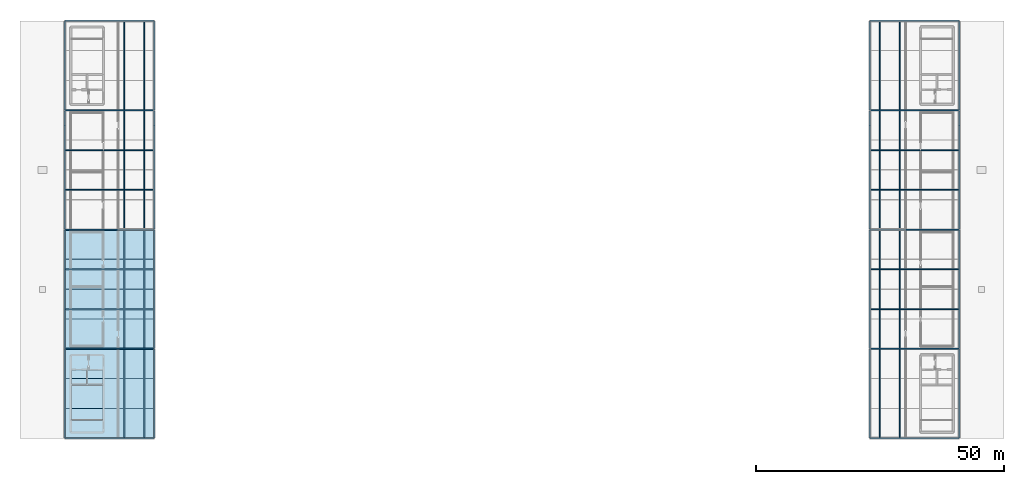
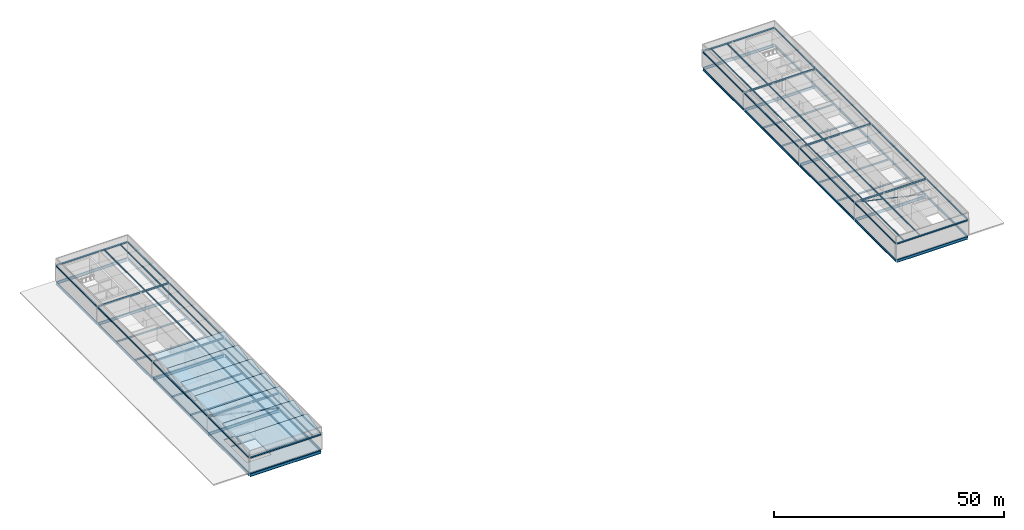
# One storey, part 7 of 13: 76 beams, 8 slabs, 2 members, 1 element without a shape of its own.
"""IFC4 building model written with IfcOpenShell, lengths in metres."""

from ifc_helpers import new_model, si_unit, direction, frame, origin, origin_2d, place, context, subcontext, project, spatial, polyline, hollow_circle, i_section, outline, extrude, material, layer, layer_set, material_profile, profile_set, type_object, element, aggregate, save


model = new_model("IFC4")

# Units and contexts
model_context = context("Model", 3, precision=1e-05, world=origin(), true_north=direction((0.0, 1.0)))
body_context = subcontext(model_context, "Body", "Model", "MODEL_VIEW")
ifc_project = project(units=[si_unit("LENGTHUNIT", "METRE"), si_unit("AREAUNIT", "SQUARE_METRE"), si_unit("VOLUMEUNIT", "CUBIC_METRE"), si_unit("PLANEANGLEUNIT", "RADIAN"), si_unit("MASSUNIT", "GRAM", prefix="KILO")], contexts=[model_context])

# Site, building, storey
site_placement = place(None, origin())
site = spatial("IfcSite", under=ifc_project, at=site_placement, CompositionType="ELEMENT")
building_placement = place(site_placement, origin())
building = spatial("IfcBuilding", under=site, at=building_placement, Name="Kisiwana Market Hall", CompositionType="ELEMENT")
storey_placement = place(building_placement, frame((0.0, 0.0, 69.89990234375)))
storey = spatial("IfcBuildingStorey", under=building, at=storey_placement, Name="L16", CompositionType="ELEMENT", Elevation=69.89990234375)

# Beams
ifc_material_1 = material(Name="Steel S355", Category="steel")
ifc_material_profile_1 = material_profile(ifc_material_1, i_section(OverallWidth=0.19140625, OverallDepth=0.4599609375, WebThickness=0.010009765625, FlangeThickness=0.01611328125, at=origin_2d()), Name="UB 457x191x82")
ifc_profile_set_1 = profile_set([ifc_material_profile_1], Name="Steel S355")
beam_type_1 = type_object("IfcBeamType", Name="BM-GIRD-UB457H", PredefinedType="BEAM", material=ifc_profile_set_1)
for number, where, z_axis, x_axis, name in (
    (1, (9.098876953125, 18.0, 3.9951171875), (1.0, 0.0, 0.0), (0.0, 1.0, 0.0), "Roof girder B-2956"),
    (2, (9.098876953125, 36.0, 3.9951171875), (1.0, 0.0, 0.0), (0.0, 1.0, 0.0), "Roof girder B-2957"),
    (3, (9.098876953125, 84.0, 3.9951171875), (1.0, 0.0, 0.0), (0.0, 1.0, 0.0), "Roof girder B-2958"),
    (4, (9.098876953125, 102.0, 3.9951171875), (1.0, 0.0, 0.0), (0.0, 1.0, 0.0), "Roof girder B-2959"),
):
    element("IfcBeam", number, at=place(storey_placement, frame(where, z_axis=z_axis, x_axis=x_axis)), inside=storey, type_object=beam_type_1, Name=name, PredefinedType="BEAM", context=body_context, shape_type="SweptSolid", body=[
        extrude(i_section(OverallWidth=0.19140625, OverallDepth=0.4599609375, WebThickness=0.010009765625, FlangeThickness=0.01611328125, at=origin_2d()), origin(), (0.0, 0.0, 1.0), 17.80224609375),
    ])
for number, where, z_axis, x_axis, name in (
    (5, (9.0, 18.100830078125, 3.9951171875), (0.0, 1.0, 0.0), (-1.0, 0.0, 0.0), "Roof girder B-2960"),
    (6, (9.0, 84.100830078125, 3.9951171875), (0.0, 1.0, 0.0), (-1.0, 0.0, 0.0), "Roof girder B-2961"),
    (7, (27.0, 18.100830078125, 3.9951171875), (0.0, 1.0, 0.0), (-1.0, 0.0, 0.0), "Roof girder B-2962"),
):
    element("IfcBeam", number, at=place(storey_placement, frame(where, z_axis=z_axis, x_axis=x_axis)), inside=storey, type_object=beam_type_1, Name=name, PredefinedType="BEAM", context=body_context, shape_type="SweptSolid", body=[
        extrude(i_section(OverallWidth=0.19140625, OverallDepth=0.4599609375, WebThickness=0.010009765625, FlangeThickness=0.01611328125, at=origin_2d()), origin(), (0.0, 0.0, 1.0), 17.79833984375),
    ])
for number, where, z_axis, x_axis, name in (
    (8, (27.0, 36.100830078125, 3.9951171875), (0.0, 1.0, 0.0), (-1.0, 0.0, 0.0), "Roof girder B-2963"),
    (9, (27.0, 60.100830078125, 3.9951171875), (0.0, 1.0, 0.0), (-1.0, 0.0, 0.0), "Roof girder B-2964"),
):
    element("IfcBeam", number, at=place(storey_placement, frame(where, z_axis=z_axis, x_axis=x_axis)), inside=storey, type_object=beam_type_1, Name=name, PredefinedType="BEAM", context=body_context, shape_type="SweptSolid", body=[
        extrude(i_section(OverallWidth=0.19140625, OverallDepth=0.4599609375, WebThickness=0.010009765625, FlangeThickness=0.01611328125, at=origin_2d()), origin(), (0.0, 0.0, 1.0), 23.79833984375),
    ])
beam_1_placement = place(storey_placement, frame((27.0, 84.100830078125, 3.9951171875), z_axis=(0.0, 1.0, 0.0), x_axis=(-1.0, 0.0, 0.0)))
element("IfcBeam", 10, at=beam_1_placement, inside=storey, type_object=beam_type_1, Name="Roof girder B-2965", PredefinedType="BEAM", context=body_context, shape_type="SweptSolid", body=[
    extrude(i_section(OverallWidth=0.19140625, OverallDepth=0.4599609375, WebThickness=0.010009765625, FlangeThickness=0.01611328125, at=origin_2d()), origin(), (0.0, 0.0, 1.0), 17.79833984375),
])
beam_2_placement = place(storey_placement, frame((9.098876953125, 60.0, 3.9951171875), z_axis=(1.0, 0.0, 0.0), x_axis=(0.0, 1.0, 0.0)))
element("IfcBeam", 11, at=beam_2_placement, inside=storey, type_object=beam_type_1, Name="Roof girder B-2914", PredefinedType="BEAM", context=body_context, shape_type="SweptSolid", body=[
    extrude(i_section(OverallWidth=0.19140625, OverallDepth=0.4599609375, WebThickness=0.010009765625, FlangeThickness=0.01611328125, at=origin_2d()), origin(), (0.0, 0.0, 1.0), 17.80224609375),
])
for number, where, z_axis, x_axis, name in (
    (12, (9.0, 36.100830078125, 3.9951171875), (0.0, 1.0, 0.0), (-1.0, 0.0, 0.0), "Roof girder B-2915"),
    (13, (9.0, 60.100830078125, 3.9951171875), (0.0, 1.0, 0.0), (-1.0, 0.0, 0.0), "Roof girder B-2916"),
):
    element("IfcBeam", number, at=place(storey_placement, frame(where, z_axis=z_axis, x_axis=x_axis)), inside=storey, type_object=beam_type_1, Name=name, PredefinedType="BEAM", context=body_context, shape_type="SweptSolid", body=[
        extrude(i_section(OverallWidth=0.19140625, OverallDepth=0.4599609375, WebThickness=0.010009765625, FlangeThickness=0.01611328125, at=origin_2d()), origin(), (0.0, 0.0, 1.0), 23.79833984375),
    ])
for number, where, z_axis, x_axis, name in (
    (14, (171.098876953125, 18.0, 3.9951171875), (1.0, 0.0, 0.0), (0.0, 1.0, 0.0), "Roof girder B-2966"),
    (15, (171.098876953125, 36.0, 3.9951171875), (1.0, 0.0, 0.0), (0.0, 1.0, 0.0), "Roof girder B-2967"),
    (16, (171.098876953125, 84.0, 3.9951171875), (1.0, 0.0, 0.0), (0.0, 1.0, 0.0), "Roof girder B-2968"),
    (17, (171.098876953125, 102.0, 3.9951171875), (1.0, 0.0, 0.0), (0.0, 1.0, 0.0), "Roof girder B-2969"),
):
    element("IfcBeam", number, at=place(storey_placement, frame(where, z_axis=z_axis, x_axis=x_axis)), inside=storey, type_object=beam_type_1, Name=name, PredefinedType="BEAM", context=body_context, shape_type="SweptSolid", body=[
        extrude(i_section(OverallWidth=0.19140625, OverallDepth=0.4599609375, WebThickness=0.010009765625, FlangeThickness=0.01611328125, at=origin_2d()), origin(), (0.0, 0.0, 1.0), 17.80224609375),
    ])
beam_3_placement = place(storey_placement, frame((171.0, 18.100830078125, 3.9951171875), z_axis=(0.0, 1.0, 0.0), x_axis=(-1.0, 0.0, 0.0)))
element("IfcBeam", 18, at=beam_3_placement, inside=storey, type_object=beam_type_1, Name="Roof girder B-2970", PredefinedType="BEAM", context=body_context, shape_type="SweptSolid", body=[
    extrude(i_section(OverallWidth=0.19140625, OverallDepth=0.4599609375, WebThickness=0.010009765625, FlangeThickness=0.01611328125, at=origin_2d()), origin(), (0.0, 0.0, 1.0), 17.79833984375),
])
for number, where, z_axis, x_axis, name in (
    (19, (171.0, 36.100830078125, 3.9951171875), (0.0, 1.0, 0.0), (-1.0, 0.0, 0.0), "Roof girder B-2971"),
    (20, (171.0, 60.100830078125, 3.9951171875), (0.0, 1.0, 0.0), (-1.0, 0.0, 0.0), "Roof girder B-2972"),
):
    element("IfcBeam", number, at=place(storey_placement, frame(where, z_axis=z_axis, x_axis=x_axis)), inside=storey, type_object=beam_type_1, Name=name, PredefinedType="BEAM", context=body_context, shape_type="SweptSolid", body=[
        extrude(i_section(OverallWidth=0.19140625, OverallDepth=0.4599609375, WebThickness=0.010009765625, FlangeThickness=0.01611328125, at=origin_2d()), origin(), (0.0, 0.0, 1.0), 23.79833984375),
    ])
for number, where, z_axis, x_axis, name in (
    (21, (171.0, 84.100830078125, 3.9951171875), (0.0, 1.0, 0.0), (-1.0, 0.0, 0.0), "Roof girder B-2973"),
    (22, (189.0, 18.100830078125, 3.9951171875), (0.0, 1.0, 0.0), (-1.0, 0.0, 0.0), "Roof girder B-2974"),
    (23, (189.0, 84.100830078125, 3.9951171875), (0.0, 1.0, 0.0), (-1.0, 0.0, 0.0), "Roof girder B-2975"),
):
    element("IfcBeam", number, at=place(storey_placement, frame(where, z_axis=z_axis, x_axis=x_axis)), inside=storey, type_object=beam_type_1, Name=name, PredefinedType="BEAM", context=body_context, shape_type="SweptSolid", body=[
        extrude(i_section(OverallWidth=0.19140625, OverallDepth=0.4599609375, WebThickness=0.010009765625, FlangeThickness=0.01611328125, at=origin_2d()), origin(), (0.0, 0.0, 1.0), 17.79833984375),
    ])
beam_4_placement = place(storey_placement, frame((171.098876953125, 60.0, 3.9951171875), z_axis=(1.0, 0.0, 0.0), x_axis=(0.0, 1.0, 0.0)))
element("IfcBeam", 24, at=beam_4_placement, inside=storey, type_object=beam_type_1, Name="Roof girder B-2917", PredefinedType="BEAM", context=body_context, shape_type="SweptSolid", body=[
    extrude(i_section(OverallWidth=0.19140625, OverallDepth=0.4599609375, WebThickness=0.010009765625, FlangeThickness=0.01611328125, at=origin_2d()), origin(), (0.0, 0.0, 1.0), 17.80224609375),
])
for number, where, z_axis, x_axis, name in (
    (25, (189.0, 36.100830078125, 3.9951171875), (0.0, 1.0, 0.0), (-1.0, 0.0, 0.0), "Roof girder B-2918"),
    (26, (189.0, 60.100830078125, 3.9951171875), (0.0, 1.0, 0.0), (-1.0, 0.0, 0.0), "Roof girder B-2919"),
):
    element("IfcBeam", number, at=place(storey_placement, frame(where, z_axis=z_axis, x_axis=x_axis)), inside=storey, type_object=beam_type_1, Name=name, PredefinedType="BEAM", context=body_context, shape_type="SweptSolid", body=[
        extrude(i_section(OverallWidth=0.19140625, OverallDepth=0.4599609375, WebThickness=0.010009765625, FlangeThickness=0.01611328125, at=origin_2d()), origin(), (0.0, 0.0, 1.0), 23.79833984375),
    ])
ifc_material_2 = material(Name="Steel S355", Category="steel")
ifc_material_profile_2 = material_profile(ifc_material_2, i_section(OverallWidth=0.22900390625, OverallDepth=0.6123046875, WebThickness=0.011962890625, FlangeThickness=0.01953125, at=origin_2d()), Name="UB 610x229x125")
ifc_profile_set_2 = profile_set([ifc_material_profile_2], Name="Steel S355")
beam_type_2 = type_object("IfcBeamType", Name="BM-GIRD-UB610H", PredefinedType="BEAM", material=ifc_profile_set_2)
for number, where, z_axis, x_axis, name in (
    (27, (9.0, 18.100830078125, -0.597900390625), (0.0, 1.0, 0.0), (-1.0, 0.0, 0.0), "Floor beam B-2944"),
    (28, (9.0, 84.100830078125, -0.597900390625), (0.0, 1.0, 0.0), (-1.0, 0.0, 0.0), "Floor beam B-2945"),
    (29, (27.0, 18.100830078125, -0.5859375), (0.0, 1.0, 0.0), (-1.0, 0.0, 0.0), "Floor beam B-2946"),
):
    element("IfcBeam", number, at=place(storey_placement, frame(where, z_axis=z_axis, x_axis=x_axis)), inside=storey, type_object=beam_type_2, Name=name, PredefinedType="BEAM", context=body_context, shape_type="SweptSolid", body=[
        extrude(i_section(OverallWidth=0.22900390625, OverallDepth=0.6123046875, WebThickness=0.011962890625, FlangeThickness=0.01953125, at=origin_2d()), origin(), (0.0, 0.0, 1.0), 17.79833984375),
    ])
for number, where, z_axis, x_axis, name in (
    (30, (27.0, 36.100830078125, -0.5859375), (0.0, 1.0, 0.0), (-1.0, 0.0, 0.0), "Floor beam B-2947"),
    (31, (27.0, 60.100830078125, -0.5859375), (0.0, 1.0, 0.0), (-1.0, 0.0, 0.0), "Floor beam B-2948"),
):
    element("IfcBeam", number, at=place(storey_placement, frame(where, z_axis=z_axis, x_axis=x_axis)), inside=storey, type_object=beam_type_2, Name=name, PredefinedType="BEAM", context=body_context, shape_type="SweptSolid", body=[
        extrude(i_section(OverallWidth=0.22900390625, OverallDepth=0.6123046875, WebThickness=0.011962890625, FlangeThickness=0.01953125, at=origin_2d()), origin(), (0.0, 0.0, 1.0), 23.79833984375),
    ])
for number, where, z_axis, x_axis, name in (
    (32, (27.0, 84.100830078125, -0.5859375), (0.0, 1.0, 0.0), (-1.0, 0.0, 0.0), "Floor beam B-2949"),
    (33, (171.0, 18.100830078125, -0.5859375), (0.0, 1.0, 0.0), (-1.0, 0.0, 0.0), "Floor beam B-2950"),
):
    element("IfcBeam", number, at=place(storey_placement, frame(where, z_axis=z_axis, x_axis=x_axis)), inside=storey, type_object=beam_type_2, Name=name, PredefinedType="BEAM", context=body_context, shape_type="SweptSolid", body=[
        extrude(i_section(OverallWidth=0.22900390625, OverallDepth=0.6123046875, WebThickness=0.011962890625, FlangeThickness=0.01953125, at=origin_2d()), origin(), (0.0, 0.0, 1.0), 17.79833984375),
    ])
for number, where, z_axis, x_axis, name in (
    (34, (171.0, 36.100830078125, -0.5859375), (0.0, 1.0, 0.0), (-1.0, 0.0, 0.0), "Floor beam B-2951"),
    (35, (171.0, 60.100830078125, -0.5859375), (0.0, 1.0, 0.0), (-1.0, 0.0, 0.0), "Floor beam B-2952"),
):
    element("IfcBeam", number, at=place(storey_placement, frame(where, z_axis=z_axis, x_axis=x_axis)), inside=storey, type_object=beam_type_2, Name=name, PredefinedType="BEAM", context=body_context, shape_type="SweptSolid", body=[
        extrude(i_section(OverallWidth=0.22900390625, OverallDepth=0.6123046875, WebThickness=0.011962890625, FlangeThickness=0.01953125, at=origin_2d()), origin(), (0.0, 0.0, 1.0), 23.79833984375),
    ])
for number, where, z_axis, x_axis, name in (
    (36, (171.0, 84.100830078125, -0.5859375), (0.0, 1.0, 0.0), (-1.0, 0.0, 0.0), "Floor beam B-2953"),
    (37, (189.0, 18.100830078125, -0.597900390625), (0.0, 1.0, 0.0), (-1.0, 0.0, 0.0), "Floor beam B-2954"),
    (38, (189.0, 84.100830078125, -0.597900390625), (0.0, 1.0, 0.0), (-1.0, 0.0, 0.0), "Floor beam B-2955"),
):
    element("IfcBeam", number, at=place(storey_placement, frame(where, z_axis=z_axis, x_axis=x_axis)), inside=storey, type_object=beam_type_2, Name=name, PredefinedType="BEAM", context=body_context, shape_type="SweptSolid", body=[
        extrude(i_section(OverallWidth=0.22900390625, OverallDepth=0.6123046875, WebThickness=0.011962890625, FlangeThickness=0.01953125, at=origin_2d()), origin(), (0.0, 0.0, 1.0), 17.79833984375),
    ])
for number, where, z_axis, x_axis, name in (
    (39, (9.0, 36.100830078125, -0.597900390625), (0.0, 1.0, 0.0), (-1.0, 0.0, 0.0), "Primary girder B-2902"),
    (40, (9.0, 60.100830078125, -0.597900390625), (0.0, 1.0, 0.0), (-1.0, 0.0, 0.0), "Primary girder B-2903"),
    (41, (189.0, 36.100830078125, -0.597900390625), (0.0, 1.0, 0.0), (-1.0, 0.0, 0.0), "Primary girder B-2904"),
    (42, (189.0, 60.100830078125, -0.597900390625), (0.0, 1.0, 0.0), (-1.0, 0.0, 0.0), "Primary girder B-2905"),
):
    element("IfcBeam", number, at=place(storey_placement, frame(where, z_axis=z_axis, x_axis=x_axis)), inside=storey, type_object=beam_type_2, Name=name, PredefinedType="BEAM", context=body_context, shape_type="SweptSolid", body=[
        extrude(i_section(OverallWidth=0.22900390625, OverallDepth=0.6123046875, WebThickness=0.011962890625, FlangeThickness=0.01953125, at=origin_2d()), origin(), (0.0, 0.0, 1.0), 23.79833984375),
    ])
ifc_material_3 = material(Name="Steel S355", Category="steel")
ifc_material_profile_3 = material_profile(ifc_material_3, i_section(OverallWidth=0.2666015625, OverallDepth=0.76220703125, WebThickness=0.014404296875, FlangeThickness=0.021484375, at=origin_2d()), Name="UB 762x267x173")
ifc_profile_set_3 = profile_set([ifc_material_profile_3], Name="Steel S355")
beam_type_3 = type_object("IfcBeamType", Name="BM-GIRD-UB762", PredefinedType="BEAM", material=ifc_profile_set_3)
for number, where, z_axis, x_axis, name in (
    (43, (9.098876953125, 18.0, -0.673095703125), (1.0, 0.0, 0.0), (0.0, 1.0, 0.0), "Floor beam B-2936"),
    (44, (171.098876953125, 18.0, -0.673095703125), (1.0, 0.0, 0.0), (0.0, 1.0, 0.0), "Floor beam B-2937"),
    (45, (9.098876953125, 36.0, -0.673095703125), (1.0, 0.0, 0.0), (0.0, 1.0, 0.0), "Floor beam B-2938"),
    (46, (171.098876953125, 36.0, -0.673095703125), (1.0, 0.0, 0.0), (0.0, 1.0, 0.0), "Floor beam B-2939"),
    (47, (9.098876953125, 84.0, -0.673095703125), (1.0, 0.0, 0.0), (0.0, 1.0, 0.0), "Floor beam B-2940"),
    (48, (171.098876953125, 84.0, -0.673095703125), (1.0, 0.0, 0.0), (0.0, 1.0, 0.0), "Floor beam B-2941"),
    (49, (9.098876953125, 102.0, -0.673095703125), (1.0, 0.0, 0.0), (0.0, 1.0, 0.0), "Floor beam B-2942"),
    (50, (171.098876953125, 102.0, -0.673095703125), (1.0, 0.0, 0.0), (0.0, 1.0, 0.0), "Floor beam B-2943"),
    (51, (9.098876953125, 60.0, -0.673095703125), (1.0, 0.0, 0.0), (0.0, 1.0, 0.0), "Primary girder B-2900"),
    (52, (171.098876953125, 60.0, -0.673095703125), (1.0, 0.0, 0.0), (0.0, 1.0, 0.0), "Primary girder B-2901"),
):
    element("IfcBeam", number, at=place(storey_placement, frame(where, z_axis=z_axis, x_axis=x_axis)), inside=storey, type_object=beam_type_3, Name=name, PredefinedType="BEAM", context=body_context, shape_type="SweptSolid", body=[
        extrude(i_section(OverallWidth=0.2666015625, OverallDepth=0.76220703125, WebThickness=0.014404296875, FlangeThickness=0.021484375, at=origin_2d()), origin(), (0.0, 0.0, 1.0), 17.80224609375),
    ])
ifc_material_4 = material(Name="Steel S355", Category="steel")
ifc_material_profile_4 = material_profile(ifc_material_4, i_section(OverallWidth=0.17138671875, OverallDepth=0.35498046875, WebThickness=0.00732421875, FlangeThickness=0.011474609375, at=origin_2d()), Name="UB 356x171x51")
ifc_profile_set_4 = profile_set([ifc_material_profile_4], Name="Steel S355")
beam_type_4 = type_object("IfcBeamType", Name="BM-JOIST-UB356", PredefinedType="JOIST", material=ifc_profile_set_4)
beam_5_placement = place(storey_placement, frame((21.0, 18.099609375, 4.047607421875), z_axis=(0.0, 1.0, 0.0), x_axis=(-1.0, 0.0, 0.0)))
element("IfcBeam", 53, at=beam_5_placement, inside=storey, type_object=beam_type_4, Name="Crown roof beam B-2920", PredefinedType="JOIST", context=body_context, shape_type="SweptSolid", body=[
    extrude(i_section(OverallWidth=0.17138671875, OverallDepth=0.35498046875, WebThickness=0.00732421875, FlangeThickness=0.011474609375, at=origin_2d()), origin(), (0.0, 0.0, 1.0), 17.80078125),
])
for number, where, z_axis, x_axis, name in (
    (54, (21.0, 36.099609375, 4.047607421875), (0.0, 1.0, 0.0), (-1.0, 0.0, 0.0), "Crown roof beam B-2921"),
    (55, (21.0, 60.099609375, 4.047607421875), (0.0, 1.0, 0.0), (-1.0, 0.0, 0.0), "Crown roof beam B-2922"),
):
    element("IfcBeam", number, at=place(storey_placement, frame(where, z_axis=z_axis, x_axis=x_axis)), inside=storey, type_object=beam_type_4, Name=name, PredefinedType="JOIST", context=body_context, shape_type="SweptSolid", body=[
        extrude(i_section(OverallWidth=0.17138671875, OverallDepth=0.35498046875, WebThickness=0.00732421875, FlangeThickness=0.011474609375, at=origin_2d()), origin(), (0.0, 0.0, 1.0), 23.80078125),
    ])
for number, where, z_axis, x_axis, name in (
    (56, (21.0, 84.099609375, 4.047607421875), (0.0, 1.0, 0.0), (-1.0, 0.0, 0.0), "Crown roof beam B-2923"),
    (57, (25.0, 18.099609375, 4.047607421875), (0.0, 1.0, 0.0), (-1.0, 0.0, 0.0), "Crown roof beam B-2924"),
):
    element("IfcBeam", number, at=place(storey_placement, frame(where, z_axis=z_axis, x_axis=x_axis)), inside=storey, type_object=beam_type_4, Name=name, PredefinedType="JOIST", context=body_context, shape_type="SweptSolid", body=[
        extrude(i_section(OverallWidth=0.17138671875, OverallDepth=0.35498046875, WebThickness=0.00732421875, FlangeThickness=0.011474609375, at=origin_2d()), origin(), (0.0, 0.0, 1.0), 17.80078125),
    ])
for number, where, z_axis, x_axis, name in (
    (58, (25.0, 36.099609375, 4.047607421875), (0.0, 1.0, 0.0), (-1.0, 0.0, 0.0), "Crown roof beam B-2925"),
    (59, (25.0, 60.099609375, 4.047607421875), (0.0, 1.0, 0.0), (-1.0, 0.0, 0.0), "Crown roof beam B-2926"),
):
    element("IfcBeam", number, at=place(storey_placement, frame(where, z_axis=z_axis, x_axis=x_axis)), inside=storey, type_object=beam_type_4, Name=name, PredefinedType="JOIST", context=body_context, shape_type="SweptSolid", body=[
        extrude(i_section(OverallWidth=0.17138671875, OverallDepth=0.35498046875, WebThickness=0.00732421875, FlangeThickness=0.011474609375, at=origin_2d()), origin(), (0.0, 0.0, 1.0), 23.80078125),
    ])
for number, where, z_axis, x_axis, name in (
    (60, (25.0, 84.099609375, 4.047607421875), (0.0, 1.0, 0.0), (-1.0, 0.0, 0.0), "Crown roof beam B-2927"),
    (61, (173.0, 18.099609375, 4.047607421875), (0.0, 1.0, 0.0), (-1.0, 0.0, 0.0), "Crown roof beam B-2928"),
):
    element("IfcBeam", number, at=place(storey_placement, frame(where, z_axis=z_axis, x_axis=x_axis)), inside=storey, type_object=beam_type_4, Name=name, PredefinedType="JOIST", context=body_context, shape_type="SweptSolid", body=[
        extrude(i_section(OverallWidth=0.17138671875, OverallDepth=0.35498046875, WebThickness=0.00732421875, FlangeThickness=0.011474609375, at=origin_2d()), origin(), (0.0, 0.0, 1.0), 17.80078125),
    ])
for number, where, z_axis, x_axis, name in (
    (62, (173.0, 36.099609375, 4.047607421875), (0.0, 1.0, 0.0), (-1.0, 0.0, 0.0), "Crown roof beam B-2929"),
    (63, (173.0, 60.099609375, 4.047607421875), (0.0, 1.0, 0.0), (-1.0, 0.0, 0.0), "Crown roof beam B-2930"),
):
    element("IfcBeam", number, at=place(storey_placement, frame(where, z_axis=z_axis, x_axis=x_axis)), inside=storey, type_object=beam_type_4, Name=name, PredefinedType="JOIST", context=body_context, shape_type="SweptSolid", body=[
        extrude(i_section(OverallWidth=0.17138671875, OverallDepth=0.35498046875, WebThickness=0.00732421875, FlangeThickness=0.011474609375, at=origin_2d()), origin(), (0.0, 0.0, 1.0), 23.80078125),
    ])
for number, where, z_axis, x_axis, name in (
    (64, (173.0, 84.099609375, 4.047607421875), (0.0, 1.0, 0.0), (-1.0, 0.0, 0.0), "Crown roof beam B-2931"),
    (65, (177.0, 18.099609375, 4.047607421875), (0.0, 1.0, 0.0), (-1.0, 0.0, 0.0), "Crown roof beam B-2932"),
):
    element("IfcBeam", number, at=place(storey_placement, frame(where, z_axis=z_axis, x_axis=x_axis)), inside=storey, type_object=beam_type_4, Name=name, PredefinedType="JOIST", context=body_context, shape_type="SweptSolid", body=[
        extrude(i_section(OverallWidth=0.17138671875, OverallDepth=0.35498046875, WebThickness=0.00732421875, FlangeThickness=0.011474609375, at=origin_2d()), origin(), (0.0, 0.0, 1.0), 17.80078125),
    ])
for number, where, z_axis, x_axis, name in (
    (66, (177.0, 36.099609375, 4.047607421875), (0.0, 1.0, 0.0), (-1.0, 0.0, 0.0), "Crown roof beam B-2933"),
    (67, (177.0, 60.099609375, 4.047607421875), (0.0, 1.0, 0.0), (-1.0, 0.0, 0.0), "Crown roof beam B-2934"),
):
    element("IfcBeam", number, at=place(storey_placement, frame(where, z_axis=z_axis, x_axis=x_axis)), inside=storey, type_object=beam_type_4, Name=name, PredefinedType="JOIST", context=body_context, shape_type="SweptSolid", body=[
        extrude(i_section(OverallWidth=0.17138671875, OverallDepth=0.35498046875, WebThickness=0.00732421875, FlangeThickness=0.011474609375, at=origin_2d()), origin(), (0.0, 0.0, 1.0), 23.80078125),
    ])
beam_6_placement = place(storey_placement, frame((177.0, 84.099609375, 4.047607421875), z_axis=(0.0, 1.0, 0.0), x_axis=(-1.0, 0.0, 0.0)))
element("IfcBeam", 68, at=beam_6_placement, inside=storey, type_object=beam_type_4, Name="Crown roof beam B-2935", PredefinedType="JOIST", context=body_context, shape_type="SweptSolid", body=[
    extrude(i_section(OverallWidth=0.17138671875, OverallDepth=0.35498046875, WebThickness=0.00732421875, FlangeThickness=0.011474609375, at=origin_2d()), origin(), (0.0, 0.0, 1.0), 17.80078125),
])
ifc_material_5 = material(Name="Steel S355", Category="steel")
ifc_material_profile_5 = material_profile(ifc_material_5, i_section(OverallWidth=0.18994140625, OverallDepth=0.453369140625, WebThickness=0.008544921875, FlangeThickness=0.0126953125, at=origin_2d()), Name="UB 457x191x67")
ifc_profile_set_5 = profile_set([ifc_material_profile_5], Name="Steel S355")
beam_type_5 = type_object("IfcBeamType", Name="BM-JOIST-UB457", PredefinedType="JOIST", material=ifc_profile_set_5)
for number, where, z_axis, x_axis, name in (
    (69, (9.113525390625, 44.0, -0.5185546875), (1.0, 0.0, 0.0), (0.0, 1.0, 0.0), "Secondary floor joist B-2906"),
    (70, (171.113525390625, 44.0, -0.5185546875), (1.0, 0.0, 0.0), (0.0, 1.0, 0.0), "Secondary floor joist B-2907"),
    (71, (9.113525390625, 52.0, -0.5185546875), (1.0, 0.0, 0.0), (0.0, 1.0, 0.0), "Secondary floor joist B-2908"),
    (72, (171.113525390625, 52.0, -0.5185546875), (1.0, 0.0, 0.0), (0.0, 1.0, 0.0), "Secondary floor joist B-2909"),
    (73, (9.113525390625, 68.0, -0.5185546875), (1.0, 0.0, 0.0), (0.0, 1.0, 0.0), "Secondary floor joist B-2910"),
    (74, (171.113525390625, 68.0, -0.5185546875), (1.0, 0.0, 0.0), (0.0, 1.0, 0.0), "Secondary floor joist B-2911"),
    (75, (9.113525390625, 76.0, -0.5185546875), (1.0, 0.0, 0.0), (0.0, 1.0, 0.0), "Secondary floor joist B-2912"),
    (76, (171.113525390625, 76.0, -0.5185546875), (1.0, 0.0, 0.0), (0.0, 1.0, 0.0), "Secondary floor joist B-2913"),
):
    element("IfcBeam", number, at=place(storey_placement, frame(where, z_axis=z_axis, x_axis=x_axis)), inside=storey, type_object=beam_type_5, Name=name, PredefinedType="JOIST", context=body_context, shape_type="SweptSolid", body=[
        extrude(i_section(OverallWidth=0.18994140625, OverallDepth=0.453369140625, WebThickness=0.008544921875, FlangeThickness=0.0126953125, at=origin_2d()), origin(), (0.0, 0.0, 1.0), 17.77294921875),
    ])

# Members
ifc_material_6 = material(Name="Steel S355", Category="steel")
ifc_material_profile_6 = material_profile(ifc_material_6, hollow_circle(Radius=0.06982421875, WallThickness=0.008056640625, at=origin_2d()), Name="CHS 139.7x8")
ifc_profile_set_6 = profile_set([ifc_material_profile_6], Name="Steel S355")
member_type = type_object("IfcMemberType", Name="MB-CBF-CHS139", PredefinedType="BRACE", material=ifc_profile_set_6)
for number, where, z_axis, x_axis, name in (
    (77, (26.89501953125, 36.0, 0.0), (-0.97606244145, 0.0, 0.217490483447), (0.0, -1.0, 0.0), "CBF-W-S diagonal brace (L16) M-0051"),
    (78, (188.89501953125, 36.0, 0.0), (-0.97606244145, 0.0, 0.217490483447), (0.0, -1.0, 0.0), "CBF-E-S diagonal brace (L16) M-0052"),
):
    element("IfcMember", number, at=place(storey_placement, frame(where, z_axis=z_axis, x_axis=x_axis)), inside=storey, type_object=member_type, Name=name, PredefinedType="BRACE", context=body_context, shape_type="SweptSolid", body=[
        extrude(hollow_circle(Radius=0.06982421875, WallThickness=0.008056640625, at=origin_2d()), origin(), (0.0, 0.0, 1.0), 18.046875),
    ])

# Roof, slabs
ifc_material_7 = material(Name="Steel S355", Category="steel")
ifc_layer_1 = layer(ifc_material_7, 0.18505859375)
ifc_layer_set_1 = layer_set([ifc_layer_1], Name="RF-SAWTOOTH")
roof_type = type_object("IfcRoofType", Name="RF-SAWTOOTH", PredefinedType="SHED_ROOF", material=ifc_layer_set_1)
roof_placement = place(storey_placement, origin())
roof = element("IfcRoof", 79, at=roof_placement, inside=storey, type_object=roof_type, Name="Constructivist sawtooth crown roof assembly W", PredefinedType="SHED_ROOF")
ifc_material_8 = material(Name="Concrete C32/40", Category="concrete")
ifc_layer_2 = layer(ifc_material_8, 0.27490234375)
ifc_layer_set_2 = layer_set([ifc_layer_2], Name="SL-CRN-ROOF-230")
slab_type_1 = type_object("IfcSlabType", Name="SL-CRN-ROOF-230", PredefinedType="ROOF", material=ifc_layer_set_2)
slab_1_placement = place(storey_placement, frame((9.1298828125, 18.1298828125, 4.494140625), z_axis=(0.0, -0.207884056444, 0.978153474193), x_axis=(1.0, 0.0, 0.0)))
slab_1 = element("IfcSlab", 80, at=slab_1_placement, type_object=slab_type_1, Name="Crown sawtooth roof deck S-482", PredefinedType="ROOF", context=body_context, shape_type="SweptSolid", body=[
    extrude(outline(polyline([(0.0, 0.0), (17.740234375, 0.0), (17.740234375, 6.001223061995146), (0.0, 6.001223061995146), (0.0, 0.0)])), origin(), (0.0, 0.0, -1.0), 0.27490234375),
])
slab_2_placement = place(storey_placement, frame((9.1298828125, 24.0, 4.494140625), z_axis=(0.0, -0.20791968542, 0.978145901394), x_axis=(1.0, 0.0, 0.0)))
slab_2 = element("IfcSlab", 81, at=slab_2_placement, type_object=slab_type_1, Name="Crown sawtooth roof deck S-483", PredefinedType="ROOF", context=body_context, shape_type="SweptSolid", body=[
    extrude(outline(polyline([(0.0, 0.0), (17.740234375, 0.0), (17.740234375, 6.134054225904585), (0.0, 6.134054225904585), (0.0, 0.0)])), origin(), (0.0, 0.0, -1.0), 0.27490234375),
])
slab_3_placement = place(storey_placement, frame((9.1298828125, 30.0, 4.494140625), z_axis=(0.0, -0.20791968542, 0.978145901394), x_axis=(1.0, 0.0, 0.0)))
slab_3 = element("IfcSlab", 82, at=slab_3_placement, type_object=slab_type_1, Name="Crown sawtooth roof deck S-484", PredefinedType="ROOF", context=body_context, shape_type="SweptSolid", body=[
    extrude(outline(polyline([(0.0, 0.0), (17.740234375, 0.0), (17.740234375, 6.134054225904585), (0.0, 6.134054225904585), (0.0, 0.0)])), origin(), (0.0, 0.0, -1.0), 0.27490234375),
])
slab_4_placement = place(storey_placement, frame((9.1298828125, 36.0, 4.494140625), z_axis=(0.0, -0.20791968542, 0.978145901394), x_axis=(1.0, 0.0, 0.0)))
slab_4 = element("IfcSlab", 83, at=slab_4_placement, type_object=slab_type_1, Name="Crown sawtooth roof deck S-485", PredefinedType="ROOF", context=body_context, shape_type="SweptSolid", body=[
    extrude(outline(polyline([(0.0, 0.0), (17.740234375, 0.0), (17.740234375, 6.134054225904585), (0.0, 6.134054225904585), (0.0, 0.0)])), origin(), (0.0, 0.0, -1.0), 0.27490234375),
])
slab_5_placement = place(storey_placement, frame((9.1298828125, 42.0, 4.494140625), z_axis=(0.0, -0.20791968542, 0.978145901394), x_axis=(1.0, 0.0, 0.0)))
slab_5 = element("IfcSlab", 84, at=slab_5_placement, type_object=slab_type_1, Name="Crown sawtooth roof deck S-486", PredefinedType="ROOF", context=body_context, shape_type="SweptSolid", body=[
    extrude(outline(polyline([(0.0, 0.0), (17.740234375, 0.0), (17.740234375, 6.134054225904585), (0.0, 6.134054225904585), (0.0, 0.0)])), origin(), (0.0, 0.0, -1.0), 0.27490234375),
])
slab_6_placement = place(storey_placement, frame((9.1298828125, 48.0, 4.494140625), z_axis=(0.0, -0.20791968542, 0.978145901394), x_axis=(1.0, 0.0, 0.0)))
slab_6 = element("IfcSlab", 85, at=slab_6_placement, type_object=slab_type_1, Name="Crown sawtooth roof deck S-487", PredefinedType="ROOF", context=body_context, shape_type="SweptSolid", body=[
    extrude(outline(polyline([(0.0, 0.0), (17.740234375, 0.0), (17.740234375, 6.134054225904585), (0.0, 6.134054225904585), (0.0, 0.0)])), origin(), (0.0, 0.0, -1.0), 0.27490234375),
])
slab_7_placement = place(storey_placement, frame((9.1298828125, 54.0, 4.494140625), z_axis=(0.0, -0.20791968542, 0.978145901394), x_axis=(1.0, 0.0, 0.0)))
slab_7 = element("IfcSlab", 86, at=slab_7_placement, type_object=slab_type_1, Name="Crown sawtooth roof deck S-488", PredefinedType="ROOF", context=body_context, shape_type="SweptSolid", body=[
    extrude(outline(polyline([(0.0, 0.0), (17.740234375, 0.0), (17.740234375, 6.134054225904585), (0.0, 6.134054225904585), (0.0, 0.0)])), origin(), (0.0, 0.0, -1.0), 0.27490234375),
])
aggregate(roof, [slab_1, slab_2, slab_3, slab_4, slab_5, slab_6, slab_7])

# Slab
ifc_material_9 = material(Name="Concrete C32/40", Category="concrete")
ifc_layer_3 = layer(ifc_material_9, 0.280029296875)
ifc_layer_set_3 = layer_set([ifc_layer_3], Name="SL-PLANT-280")
slab_type_2 = type_object("IfcSlabType", Name="SL-PLANT-280", PredefinedType="FLOOR", material=ifc_layer_set_3)
slab_8_placement = place(storey_placement, frame((0.0, 0.0, -0.27978515625)))
element("IfcSlab", 87, at=slab_8_placement, inside=storey, type_object=slab_type_2, Name="Structural slab S-496", PredefinedType="FLOOR", context=body_context, shape_type="SweptSolid", body=[
    extrude(outline(polyline([(9.0, 18.0), (27.0, 18.0), (27.0, 60.0), (9.0, 60.0), (9.0, 18.0)]), holes=[polyline([(10.425048828125, 21.675048828125), (16.574951171875, 21.675048828125), (16.574951171875, 28.625), (10.425048828125, 28.625), (10.425048828125, 21.675048828125)]), polyline([(10.425048828125, 28.945068359375), (13.340087890625, 28.945068359375), (13.340087890625, 31.675048828125), (10.425048828125, 31.675048828125), (10.425048828125, 28.945068359375)]), polyline([(13.659912109375, 28.945068359375), (16.574951171875, 28.945068359375), (16.574951171875, 31.675048828125), (13.659912109375, 31.675048828125), (13.659912109375, 28.945068359375)])]), origin(), (0.0, 0.0, 1.0), 0.27978515625),
])

save(model, "model.ifc")
